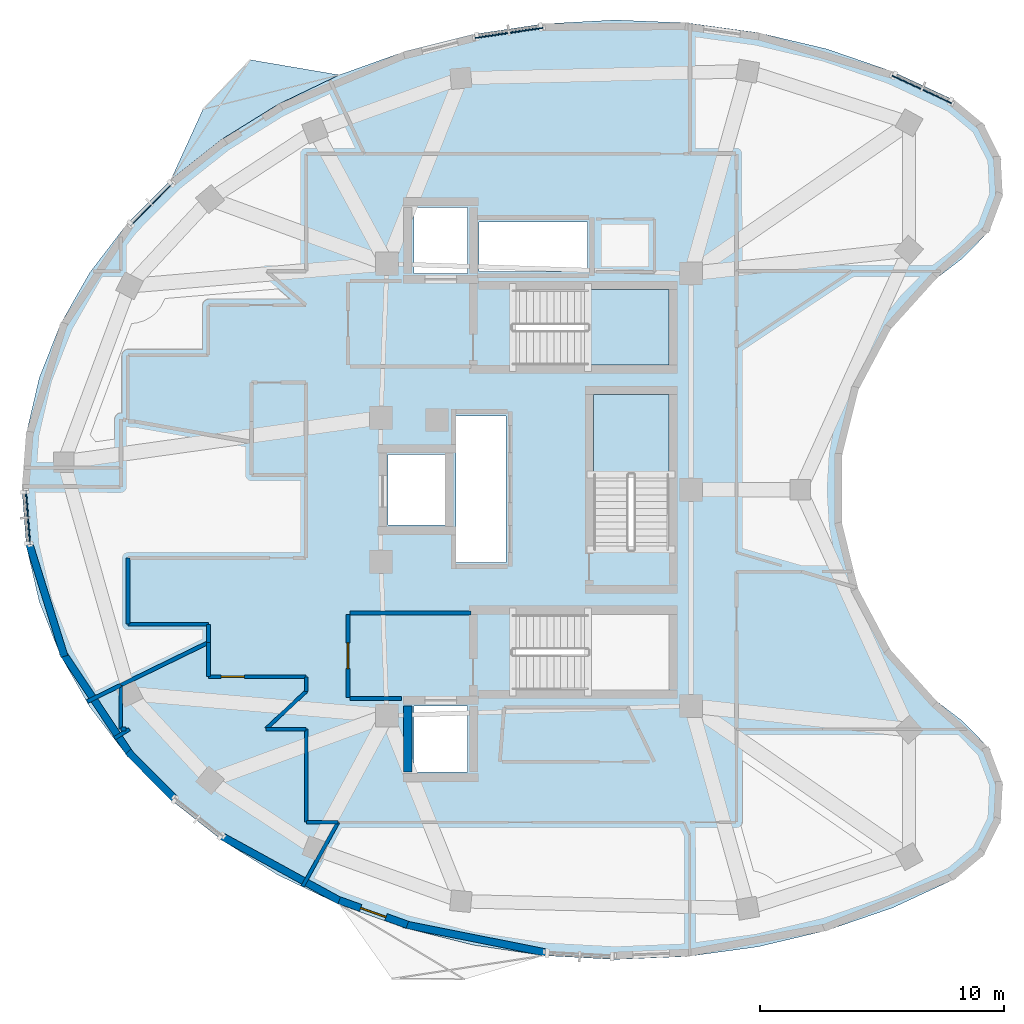
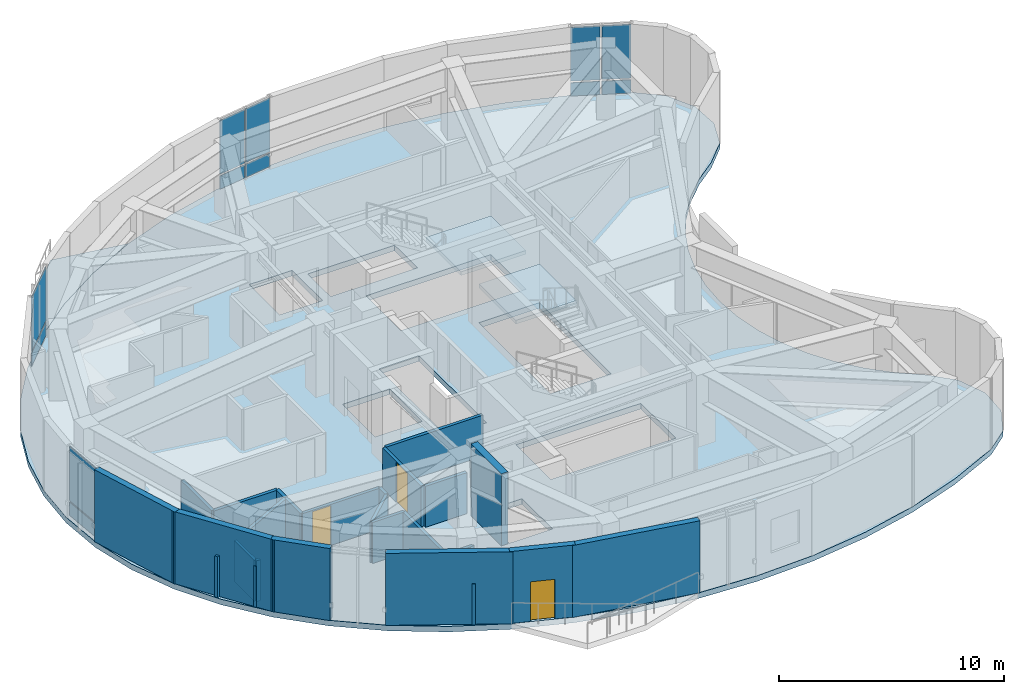
# One storey, part 5 of 12: 26 walls, 12 plates, 4 slabs, 3 doors, 3 openings, 6 elements without a shape of their own.
"""IFC4 building model written with IfcOpenShell, lengths in metres."""

from ifc_helpers import new_model, si_unit, direction, frame, frame_2d, origin, origin_2d, place, context, subcontext, project, spatial, polyline, rectangle, outline, extrude, material, layer, layer_set, type_object, element, fill, aggregate, save


model = new_model("IFC4")

# Units and contexts
model_context = context("Model", 3, precision=1e-05, world=origin(), true_north=direction((0.0, 1.0)))
body_context = subcontext(model_context, "Body", "Model", "MODEL_VIEW")
ifc_project = project(units=[si_unit("LENGTHUNIT", "METRE"), si_unit("AREAUNIT", "SQUARE_METRE"), si_unit("VOLUMEUNIT", "CUBIC_METRE"), si_unit("PLANEANGLEUNIT", "RADIAN"), si_unit("MASSUNIT", "GRAM", prefix="KILO")], contexts=[model_context])

# Site, building, storey
site_placement = place(None, origin())
site = spatial("IfcSite", under=ifc_project, at=site_placement, CompositionType="ELEMENT")
building_placement = place(site_placement, origin())
building = spatial("IfcBuilding", under=site, at=building_placement, Name="Korentha Bioscience Tower", CompositionType="ELEMENT")
storey_placement = place(building_placement, frame((0.0, 0.0, 297.60009765625)))
storey = spatial("IfcBuildingStorey", under=building, at=storey_placement, Name="L68", CompositionType="ELEMENT", Elevation=297.60009765625)

# Curtain wall, plates
ifc_material_1 = material(Name="Thermally Broken Aluminium Frame", Category="aluminium")
ifc_layer_1 = layer(ifc_material_1, 0.219970703125, Name="Thermally Broken Aluminium Frame")
ifc_layer_set_1 = layer_set([ifc_layer_1], Name="Thermally Broken Aluminium Frame (CW-T2)")
curtain_wall_type = type_object("IfcCurtainWallType", Name="Solar-Screened Lab Unitised Curtain Wall CW-T2", PredefinedType="USERDEFINED", material=ifc_layer_set_1)
curtain_wall_1_placement = place(storey_placement, origin())
curtain_wall_1 = element("IfcCurtainWall", 1, at=curtain_wall_1_placement, inside=storey, type_object=curtain_wall_type, Name="L68 Curtain Wall 01", ObjectType="UNITISED", PredefinedType="USERDEFINED")
ifc_material_2 = material(Name="Triple-Glazed Low-E Insulated Glass", Category="glass")
ifc_layer_2 = layer(ifc_material_2, 0.0439453125, Name="Triple-Glazed Low-E Insulated Glass")
ifc_layer_set_2 = layer_set([ifc_layer_2], Name="Triple-Glazed Low-E Insulated Glass (GL-44)")
plate_type = type_object("IfcPlateType", Name="Glazed Panel 44mm", PredefinedType="CURTAIN_PANEL", material=ifc_layer_set_2)
plate_1_placement = place(storey_placement, frame((47.63330078125, 43.09521484375, 0.08984375), z_axis=(0.0, 0.0, 1.0), x_axis=(-0.907204022278, 0.420690934016, 0.0)))
plate_1 = element("IfcPlate", 2, at=plate_1_placement, type_object=plate_type, Name="CW-L68-01 Bay 1 Glazed Panel 1", PredefinedType="CURTAIN_PANEL", context=body_context, shape_type="SweptSolid", body=[
    extrude(rectangle(XDim=1.301513671875, YDim=0.0439453125, at=origin_2d()), origin(), (0.0, 0.0, 1.0), 0.715087890625),
])
plate_2_placement = place(storey_placement, frame((47.63330078125, 43.09521484375, 0.894775390625), z_axis=(0.0, 0.0, 1.0), x_axis=(-0.907204022278, 0.420690934016, 0.0)))
plate_2 = element("IfcPlate", 3, at=plate_2_placement, type_object=plate_type, Name="CW-L68-01 Bay 1 Glazed Panel 2", PredefinedType="CURTAIN_PANEL", context=body_context, shape_type="SweptSolid", body=[
    extrude(rectangle(XDim=1.301513671875, YDim=0.0439453125, at=origin_2d()), origin(), (0.0, 0.0, 1.0), 2.9150390625),
])
plate_3_placement = place(storey_placement, frame((46.37109375, 43.6806640625, 0.08984375), z_axis=(0.0, 0.0, 1.0), x_axis=(-0.907204022278, 0.420690934016, 0.0)))
plate_3 = element("IfcPlate", 4, at=plate_3_placement, type_object=plate_type, Name="CW-L68-01 Bay 2 Glazed Panel 1", PredefinedType="CURTAIN_PANEL", context=body_context, shape_type="SweptSolid", body=[
    extrude(rectangle(XDim=1.301513671875, YDim=0.0439453125, at=origin_2d()), origin(), (0.0, 0.0, 1.0), 0.715087890625),
])
plate_4_placement = place(storey_placement, frame((46.37109375, 43.6806640625, 0.894775390625), z_axis=(0.0, 0.0, 1.0), x_axis=(-0.907204022278, 0.420690934016, 0.0)))
plate_4 = element("IfcPlate", 5, at=plate_4_placement, type_object=plate_type, Name="CW-L68-01 Bay 2 Glazed Panel 2", PredefinedType="CURTAIN_PANEL", context=body_context, shape_type="SweptSolid", body=[
    extrude(rectangle(XDim=1.301513671875, YDim=0.0439453125, at=origin_2d()), origin(), (0.0, 0.0, 1.0), 2.9150390625),
])
aggregate(curtain_wall_1, [plate_1, plate_2, plate_3, plate_4])

curtain_wall_2_placement = place(storey_placement, origin())
curtain_wall_2 = element("IfcCurtainWall", 6, at=curtain_wall_2_placement, inside=storey, type_object=curtain_wall_type, Name="L68 Curtain Wall 07", ObjectType="UNITISED", PredefinedType="USERDEFINED")
plate_5_placement = place(storey_placement, frame((30.817138671875, 45.81005859375, 0.08984375), z_axis=(0.0, 0.0, 1.0), x_axis=(-0.98900659611, -0.147871406471, 0.0)))
plate_5 = element("IfcPlate", 7, at=plate_5_placement, type_object=plate_type, Name="CW-L68-07 Bay 1 Glazed Panel 1", PredefinedType="CURTAIN_PANEL", context=body_context, shape_type="SweptSolid", body=[
    extrude(rectangle(XDim=1.3662109375, YDim=0.0439453125, at=origin_2d()), origin(), (0.0, 0.0, 1.0), 0.715087890625),
])
plate_6_placement = place(storey_placement, frame((30.817138671875, 45.81005859375, 0.894775390625), z_axis=(0.0, 0.0, 1.0), x_axis=(-0.98900659611, -0.147871406471, 0.0)))
plate_6 = element("IfcPlate", 8, at=plate_6_placement, type_object=plate_type, Name="CW-L68-07 Bay 1 Glazed Panel 2", PredefinedType="CURTAIN_PANEL", context=body_context, shape_type="SweptSolid", body=[
    extrude(rectangle(XDim=1.3662109375, YDim=0.0439453125, at=origin_2d()), origin(), (0.0, 0.0, 1.0), 2.9150390625),
])
plate_7_placement = place(storey_placement, frame((29.376953125, 45.5947265625, 0.08984375), z_axis=(0.0, 0.0, 1.0), x_axis=(-0.98900659611, -0.147871406471, 0.0)))
plate_7 = element("IfcPlate", 9, at=plate_7_placement, type_object=plate_type, Name="CW-L68-07 Bay 2 Glazed Panel 1", PredefinedType="CURTAIN_PANEL", context=body_context, shape_type="SweptSolid", body=[
    extrude(rectangle(XDim=1.3662109375, YDim=0.0439453125, at=origin_2d()), origin(), (0.0, 0.0, 1.0), 0.715087890625),
])
plate_8_placement = place(storey_placement, frame((29.376953125, 45.5947265625, 0.894775390625), z_axis=(0.0, 0.0, 1.0), x_axis=(-0.98900659611, -0.147871406471, 0.0)))
plate_8 = element("IfcPlate", 10, at=plate_8_placement, type_object=plate_type, Name="CW-L68-07 Bay 2 Glazed Panel 2", PredefinedType="CURTAIN_PANEL", context=body_context, shape_type="SweptSolid", body=[
    extrude(rectangle(XDim=1.3662109375, YDim=0.0439453125, at=origin_2d()), origin(), (0.0, 0.0, 1.0), 2.9150390625),
])
aggregate(curtain_wall_2, [plate_5, plate_6, plate_7, plate_8])

curtain_wall_3_placement = place(storey_placement, origin())
curtain_wall_3 = element("IfcCurtainWall", 11, at=curtain_wall_3_placement, inside=storey, type_object=curtain_wall_type, Name="L68 Curtain Wall 13", ObjectType="UNITISED", PredefinedType="USERDEFINED")
plate_9_placement = place(storey_placement, frame((15.46826171875, 38.67822265625, 0.08984375), z_axis=(0.0, 0.0, 1.0), x_axis=(-0.703813123431, -0.710385168262, 0.0)))
plate_9 = element("IfcPlate", 12, at=plate_9_placement, type_object=plate_type, Name="CW-L68-13 Bay 1 Glazed Panel 1", PredefinedType="CURTAIN_PANEL", context=body_context, shape_type="SweptSolid", body=[
    extrude(rectangle(XDim=2.467529296875, YDim=0.0439453125, at=origin_2d()), origin(), (0.0, 0.0, 1.0), 0.715087890625),
])
plate_10_placement = place(storey_placement, frame((15.46826171875, 38.67822265625, 0.894775390625), z_axis=(0.0, 0.0, 1.0), x_axis=(-0.703813123431, -0.710385168262, 0.0)))
plate_10 = element("IfcPlate", 13, at=plate_10_placement, type_object=plate_type, Name="CW-L68-13 Bay 1 Glazed Panel 2", PredefinedType="CURTAIN_PANEL", context=body_context, shape_type="SweptSolid", body=[
    extrude(rectangle(XDim=2.467529296875, YDim=0.0439453125, at=origin_2d()), origin(), (0.0, 0.0, 1.0), 2.9150390625),
])
aggregate(curtain_wall_3, [plate_9, plate_10])

curtain_wall_4_placement = place(storey_placement, origin())
curtain_wall_4 = element("IfcCurtainWall", 14, at=curtain_wall_4_placement, inside=storey, type_object=curtain_wall_type, Name="L68 Curtain Wall 19", ObjectType="UNITISED", PredefinedType="USERDEFINED")
plate_11_placement = place(storey_placement, frame((10.406005859375, 25.858642578125, 0.08984375), z_axis=(0.0, 0.0, 1.0), x_axis=(0.076447323916, -0.997073621487, 0.0)))
plate_11 = element("IfcPlate", 15, at=plate_11_placement, type_object=plate_type, Name="CW-L68-19 Bay 1 Glazed Panel 1", PredefinedType="CURTAIN_PANEL", context=body_context, shape_type="SweptSolid", body=[
    extrude(rectangle(XDim=2.2138671875, YDim=0.0439453125, at=origin_2d()), origin(), (0.0, 0.0, 1.0), 0.715087890625),
])
plate_12_placement = place(storey_placement, frame((10.406005859375, 25.858642578125, 0.894775390625), z_axis=(0.0, 0.0, 1.0), x_axis=(0.076447323916, -0.997073621487, 0.0)))
plate_12 = element("IfcPlate", 16, at=plate_12_placement, type_object=plate_type, Name="CW-L68-19 Bay 1 Glazed Panel 2", PredefinedType="CURTAIN_PANEL", context=body_context, shape_type="SweptSolid", body=[
    extrude(rectangle(XDim=2.2138671875, YDim=0.0439453125, at=origin_2d()), origin(), (0.0, 0.0, 1.0), 2.9150390625),
])
aggregate(curtain_wall_4, [plate_11, plate_12])

# Slab
ifc_material_3 = material(Name="Concrete C50", Category="concrete")
ifc_layer_3 = layer(ifc_material_3, 0.300048828125, Name="Concrete C50")
ifc_layer_set_3 = layer_set([ifc_layer_3], Name="Concrete C50 (SL-L300)")
slab_type_1 = type_object("IfcSlabType", Name="Laboratory Vibration-Controlled Slab 300", PredefinedType="FLOOR", material=ifc_layer_set_3)
slab_1_placement = place(storey_placement, frame((0.0, 0.0, -0.300048828125)))
element("IfcSlab", 17, at=slab_1_placement, inside=storey, type_object=slab_type_1, Name="L68 Tower Structural Floor Slab", PredefinedType="FLOOR", context=body_context, shape_type="SweptSolid", body=[
    extrude(outline(polyline([(48.33642578125, 42.94580078125), (45.802734375, 44.12060546875), (43.10791015625, 45.04833984375), (40.291015625, 45.715576171875), (37.392333984375, 46.112548828125), (34.4541015625, 46.2333984375), (31.5185546875, 46.07666015625), (28.628173828125, 45.64453125), (25.82470703125, 44.943115234375), (23.1484375, 43.982666015625), (20.63818359375, 42.77685546875), (18.330322265625, 41.343505859375), (16.258056640625, 39.702880859375), (14.450927734375, 37.87890625), (12.935546875, 35.897705078125), (11.733642578125, 33.788330078125), (10.862548828125, 31.580810546875), (10.334716796875, 29.306884765625), (10.157958984375, 27.0), (10.334716796875, 24.693115234375), (10.862548828125, 22.419189453125), (11.733642578125, 20.211669921875), (12.935546875, 18.102294921875), (14.450927734375, 16.12109375), (16.258056640625, 14.297119140625), (18.330322265625, 12.656494140625), (20.63818359375, 11.22314453125), (23.1484375, 10.017333984375), (25.82470703125, 9.056884765625), (28.628173828125, 8.35546875), (31.5185546875, 7.92333984375), (34.4541015625, 7.7666015625), (37.392333984375, 7.887451171875), (40.291015625, 8.284423828125), (43.10791015625, 8.95166015625), (45.802734375, 9.87939453125), (48.33642578125, 11.05419921875), (49.524169921875, 12.041259765625), (50.216796875, 13.421142578125), (50.298828125, 14.96337890625), (49.756103515625, 16.408935546875), (48.6796875, 17.51611328125), (47.57177734375, 18.366455078125), (46.575439453125, 19.345458984375), (45.7060546875, 20.438720703125), (44.976318359375, 21.62939453125), (44.39697265625, 22.900390625), (43.97705078125, 24.232421875), (43.722412109375, 25.60595703125), (43.63720703125, 27.0), (43.722412109375, 28.39404296875), (43.97705078125, 29.767578125), (44.39697265625, 31.099609375), (44.976318359375, 32.37060546875), (45.7060546875, 33.561279296875), (46.575439453125, 34.654541015625), (47.57177734375, 35.633544921875), (48.6796875, 36.48388671875), (49.756103515625, 37.591064453125), (50.298828125, 39.03662109375), (50.216796875, 40.578857421875), (49.524169921875, 41.958740234375), (48.33642578125, 42.94580078125)]), holes=[polyline([(30.25, 32.10009765625), (36.64990234375, 32.10009765625), (36.64990234375, 35.199951171875), (30.25, 35.199951171875), (30.25, 32.10009765625)]), polyline([(30.25, 18.800048828125), (36.64990234375, 18.800048828125), (36.64990234375, 21.89990234375), (30.25, 21.89990234375), (30.25, 18.800048828125)]), polyline([(36.64990234375, 24.550048828125), (36.64990234375, 30.89990234375), (33.550048828125, 30.89990234375), (33.550048828125, 24.550048828125), (36.64990234375, 24.550048828125)]), polyline([(27.929931640625, 24.030029296875), (29.969970703125, 24.030029296875), (29.969970703125, 30.02001953125), (27.929931640625, 30.02001953125), (27.929931640625, 24.030029296875)]), polyline([(28.860107421875, 35.93994140625), (33.31005859375, 35.93994140625), (33.31005859375, 37.9599609375), (28.860107421875, 37.9599609375), (28.860107421875, 35.93994140625)]), polyline([(26.199951171875, 15.449951171875), (28.39990234375, 15.449951171875), (28.39990234375, 18.14990234375), (26.199951171875, 18.14990234375), (26.199951171875, 15.449951171875)]), polyline([(26.199951171875, 35.85009765625), (28.39990234375, 35.85009765625), (28.39990234375, 38.550048828125), (26.199951171875, 38.550048828125), (26.199951171875, 35.85009765625)]), polyline([(25.14990234375, 25.550048828125), (27.550048828125, 25.550048828125), (27.550048828125, 28.449951171875), (25.14990234375, 28.449951171875), (25.14990234375, 25.550048828125)])]), origin(), (0.0, 0.0, 1.0), 0.300048828125),
])

# Stair, slab
ifc_material_4 = material(Name="Precast Concrete C50", Category="concrete")
stair_type = type_object("IfcStairType", Name="Core Exit Dog-Leg Stair 1450", PredefinedType="HALF_TURN_STAIR", material=ifc_material_4)
stair_1_placement = place(storey_placement, origin())
stair_1 = element("IfcStair", 18, at=stair_1_placement, inside=storey, type_object=stair_type, Name="L68 Tower North Pressurized Exit Stair ST-1", PredefinedType="HALF_TURN_STAIR")
ifc_layer_4 = layer(ifc_material_3, 0.199951171875, Name="Concrete C50")
ifc_layer_set_4 = layer_set([ifc_layer_4], Name="Concrete C50 (SL-LND)")
slab_type_2 = type_object("IfcSlabType", Name="Landing Slab 200", PredefinedType="LANDING", material=ifc_layer_set_4)
slab_2_placement = place(storey_placement, frame((0.0, 0.0, 1.89990234375)))
slab_2 = element("IfcSlab", 19, at=slab_2_placement, type_object=slab_type_2, Name="ST-1 landing 1", PredefinedType="LANDING", context=body_context, shape_type="SweptSolid", body=[
    extrude(outline(polyline([(33.330078125, 32.10009765625), (36.64990234375, 32.10009765625), (36.64990234375, 35.199951171875), (33.330078125, 35.199951171875), (33.330078125, 32.10009765625)])), origin(), (0.0, 0.0, 1.0), 0.199951171875),
])
aggregate(stair_1, [slab_2])

stair_2_placement = place(storey_placement, origin())
stair_2 = element("IfcStair", 20, at=stair_2_placement, inside=storey, type_object=stair_type, Name="L68 Tower Central Pressurized Exit Stair ST-3", PredefinedType="HALF_TURN_STAIR")
slab_3_placement = place(storey_placement, frame((0.0, 0.0, 1.89990234375)))
slab_3 = element("IfcSlab", 21, at=slab_3_placement, type_object=slab_type_2, Name="ST-3 landing 1", PredefinedType="LANDING", context=body_context, shape_type="SweptSolid", body=[
    extrude(outline(polyline([(36.64990234375, 27.6298828125), (36.64990234375, 30.89990234375), (33.550048828125, 30.89990234375), (33.550048828125, 27.6298828125), (36.64990234375, 27.6298828125)])), origin(), (0.0, 0.0, 1.0), 0.199951171875),
])
aggregate(stair_2, [slab_3])

# Slab
ifc_layer_5 = layer(ifc_material_3, 0.300048828125, Name="Concrete C50")
ifc_layer_set_5 = layer_set([ifc_layer_5], Name="Concrete C50 (BS-240)")
slab_type_3 = type_object("IfcSlabType", Name="Sawtooth Sun-Ledge Balcony Slab 240", PredefinedType="USERDEFINED", material=ifc_layer_set_5)
slab_4_placement = place(storey_placement, frame((0.0, 0.0, -0.300048828125)))
element("IfcSlab", 22, at=slab_4_placement, inside=storey, type_object=slab_type_3, Name="L68 Sun-Ledge Balcony 01", ObjectType="BALCONY", PredefinedType="USERDEFINED", context=body_context, shape_type="SweptSolid", body=[
    extrude(outline(polyline([(16.258056640625, 39.702880859375), (18.330322265625, 41.343505859375), (20.63818359375, 42.77685546875), (23.1484375, 43.982666015625), (19.50390625, 44.603271484375), (17.5654296875, 42.5751953125), (16.258056640625, 39.702880859375)])), origin(), (0.0, 0.0, 1.0), 0.300048828125),
])

# Wall, opening, door
ifc_material_5 = material(Name="Double-Stud Acoustic Gypsum", Category="gypsum")
ifc_layer_6 = layer(ifc_material_5, 0.14990234375, Name="Double-Stud Acoustic Gypsum")
ifc_layer_set_6 = layer_set([ifc_layer_6], Name="Double-Stud Acoustic Gypsum (IW-L150)")
wall_type_1 = type_object("IfcWallType", Name="Acoustic Laboratory Partition Wall 150", PredefinedType="PARTITIONING", material=ifc_layer_set_6)
wall_1_placement = place(storey_placement, frame((17.800048828125, 19.340087890625, 0.0), z_axis=(0.0, 0.0, 1.0), x_axis=(1.0, 0.0, 0.0)))
wall_1 = element("IfcWall", 23, at=wall_1_placement, inside=storey, type_object=wall_type_1, Name="L68 Biomechanical Motion Analysis Lab 02 Entrance Wall", PredefinedType="PARTITIONING", context=body_context, shape_type="SweptSolid", body=[
    extrude(rectangle(XDim=3.989990234375, YDim=0.14990234375, at=frame_2d((1.9951171875, 0.0))), origin(), (0.0, 0.0, 1.0), 2.219970703125),
])
opening_1_placement = place(wall_1_placement, frame((0.5068359375, 0.0, 0.0)))
opening_1 = element("IfcOpeningElement", 24, at=opening_1_placement, cuts=wall_1, Name="Opening ID-10R", PredefinedType="OPENING", context=body_context, shape_type="SweptSolid", body=[
    extrude(rectangle(XDim=0.949951171875, YDim=2.14990234375, at=frame_2d((0.47509765625, 1.074951171875))), frame((0.0, 0.08984375, 0.0), z_axis=(0.0, -1.0, 0.0), x_axis=(1.0, 0.0, 0.0)), (0.0, 0.0, 1.0), 0.1796875),
])
ifc_material_6 = material(Name="Phenolic Laminate Timber Core", Category="wood")
door_type_1 = type_object("IfcDoorType", Name="Laboratory Single Leaf Door 950x2150 Right", OperationType="SINGLE_SWING_RIGHT", PredefinedType="DOOR", material=ifc_material_6)
door_1_placement = place(opening_1_placement, origin())
door_1 = element("IfcDoor", 25, at=door_1_placement, inside=storey, type_object=door_type_1, Name="L68 Biomechanical Motion Analysis Lab 02 Door", OperationType="SINGLE_SWING_RIGHT", OverallHeight=2.14990234375, OverallWidth=0.949951171875, PredefinedType="DOOR", context=body_context, shape_type="SweptSolid", body=[
    extrude(rectangle(XDim=0.949951171875, YDim=2.14990234375, at=frame_2d((0.47509765625, 1.074951171875))), frame((0.0, 0.02490234375, 0.0), z_axis=(0.0, -1.0, 0.0), x_axis=(1.0, 0.0, 0.0)), (0.0, 0.0, 1.0), 0.050048828125),
])
fill(opening_1, door_1)

# Walls
wall_2_placement = place(storey_placement, frame((20.148193359375, 17.197998046875, 0.0), z_axis=(0.0, 0.0, 1.0), x_axis=(1.0, 0.0, 0.0)))
element("IfcWall", 26, at=wall_2_placement, inside=storey, type_object=wall_type_1, Name="L68 Interior Partition 032", PredefinedType="PARTITIONING", context=body_context, shape_type="SweptSolid", body=[
    extrude(rectangle(XDim=1.641845703125, YDim=0.14990234375, at=frame_2d((0.82080078125, 0.0))), origin(), (0.0, 0.0, 1.0), 2.219970703125),
])
wall_3_placement = place(storey_placement, frame((21.7900390625, 17.197998046875, 0.0), z_axis=(0.0, 0.0, 1.0), x_axis=(0.0, -1.0, 0.0)))
element("IfcWall", 27, at=wall_3_placement, inside=storey, type_object=wall_type_1, Name="L68 Interior Partition 033", PredefinedType="PARTITIONING", context=body_context, shape_type="SweptSolid", body=[
    extrude(rectangle(XDim=3.798095703125, YDim=0.14990234375, at=frame_2d((1.89892578125, 0.0))), origin(), (0.0, 0.0, 1.0), 2.219970703125),
])
wall_4_placement = place(storey_placement, frame((21.800048828125, 13.389892578125, 0.0), z_axis=(0.0, 0.0, 1.0), x_axis=(1.0, 0.0, 0.0)))
element("IfcWall", 28, at=wall_4_placement, inside=storey, type_object=wall_type_1, Name="L68 Interior Partition 034", PredefinedType="PARTITIONING", context=body_context, shape_type="SweptSolid", body=[
    extrude(rectangle(XDim=1.300048828125, YDim=0.14990234375, at=frame_2d((0.64990234375, 0.0))), origin(), (0.0, 0.0, 1.0), 2.219970703125),
])
wall_5_placement = place(storey_placement, frame((23.10009765625, 13.389892578125, 0.0), z_axis=(0.0, 0.0, 1.0), x_axis=(-0.483259990644, -0.875476888012, 0.0)))
element("IfcWall", 29, at=wall_5_placement, inside=storey, type_object=wall_type_1, Name="L68 Interior Partition 035", PredefinedType="PARTITIONING", context=body_context, shape_type="SweptSolid", body=[
    extrude(rectangle(XDim=3.00341796875, YDim=0.14990234375, at=frame_2d((1.501708984375, 0.0))), origin(), (0.0, 0.0, 1.0), 2.219970703125),
])
wall_6_placement = place(storey_placement, frame((13.943115234375, 16.82080078125, 0.0), z_axis=(0.0, 0.0, 1.0), x_axis=(0.853534109263, 0.521036970208, 0.0)))
element("IfcWall", 30, at=wall_6_placement, inside=storey, type_object=wall_type_1, Name="L68 Interior Partition 036", PredefinedType="PARTITIONING", context=body_context, shape_type="SweptSolid", body=[
    extrude(rectangle(XDim=0.71728515625, YDim=0.14990234375, at=frame_2d((0.358642578125, 0.0))), origin(), (0.0, 0.0, 1.0), 2.219970703125),
])
wall_7_placement = place(storey_placement, frame((14.41796875, 17.201904296875, 0.0), z_axis=(0.0, 0.0, 1.0), x_axis=(-1.0, 0.0, 0.0)))
element("IfcWall", 31, at=wall_7_placement, inside=storey, type_object=wall_type_1, Name="L68 Interior Partition 037", PredefinedType="PARTITIONING", context=body_context, shape_type="SweptSolid", body=[
    extrude(rectangle(XDim=0.2158203125, YDim=0.14990234375, at=frame_2d((0.10791015625, 0.0))), origin(), (0.0, 0.0, 1.0), 2.219970703125),
])
wall_8_placement = place(storey_placement, frame((14.201904296875, 17.2021484375, 0.0), z_axis=(0.0, 0.0, 1.0), x_axis=(0.0, 1.0, 0.0)))
element("IfcWall", 32, at=wall_8_placement, inside=storey, type_object=wall_type_1, Name="L68 Interior Partition 038", PredefinedType="PARTITIONING", context=body_context, shape_type="SweptSolid", body=[
    extrude(rectangle(XDim=1.783447265625, YDim=0.14990234375, at=frame_2d((0.8916015625, 0.0))), origin(), (0.0, 0.0, 1.0), 2.219970703125),
])
wall_9_placement = place(storey_placement, frame((17.7900390625, 20.735595703125, 0.0), z_axis=(0.0, 0.0, 1.0), x_axis=(0.0, -1.0, 0.0)))
element("IfcWall", 33, at=wall_9_placement, inside=storey, type_object=wall_type_1, Name="L68 Interior Partition 039", PredefinedType="PARTITIONING", context=body_context, shape_type="SweptSolid", body=[
    extrude(rectangle(XDim=1.385498046875, YDim=0.14990234375, at=frame_2d((0.69287109375, 0.0))), origin(), (0.0, 0.0, 1.0), 2.219970703125),
])
wall_10_placement = place(storey_placement, frame((21.7900390625, 19.340087890625, 0.0), z_axis=(0.0, 0.0, 1.0), x_axis=(0.0, -1.0, 0.0)))
element("IfcWall", 34, at=wall_10_placement, inside=storey, type_object=wall_type_1, Name="L68 Interior Partition 040", PredefinedType="PARTITIONING", context=body_context, shape_type="SweptSolid", body=[
    extrude(rectangle(XDim=0.59619140625, YDim=0.14990234375, at=frame_2d((0.298095703125, 0.0))), origin(), (0.0, 0.0, 1.0), 2.219970703125),
])
wall_11_placement = place(storey_placement, frame((21.7900390625, 18.743896484375, 0.0), z_axis=(0.0, 0.0, 1.0), x_axis=(-0.730182450716, -0.683252214534, 0.0)))
element("IfcWall", 35, at=wall_11_placement, inside=storey, type_object=wall_type_1, Name="L68 Interior Partition 041", PredefinedType="PARTITIONING", context=body_context, shape_type="SweptSolid", body=[
    extrude(rectangle(XDim=2.25244140625, YDim=0.14990234375, at=frame_2d((1.126220703125, 0.0))), origin(), (0.0, 0.0, 1.0), 2.219970703125),
])

# Wall, opening, door
ifc_material_7 = material(Name="Gypsum-Clad Steel Stud", Category="steel")
ifc_layer_7 = layer(ifc_material_7, 0.159912109375, Name="Gypsum-Clad Steel Stud")
ifc_layer_set_7 = layer_set([ifc_layer_7], Name="Gypsum-Clad Steel Stud (IW-C160)")
wall_type_2 = type_object("IfcWallType", Name="Fire-Rated Corridor Partition Wall 160", PredefinedType="PARTITIONING", material=ifc_layer_set_7)
wall_12_placement = place(storey_placement, frame((23.5, 18.5, 0.0), z_axis=(0.0, 0.0, 1.0), x_axis=(0.0, 1.0, 0.0)))
wall_12 = element("IfcWall", 36, at=wall_12_placement, inside=storey, type_object=wall_type_2, Name="L68 FFLS-CW Rated Enclosure Wall", PredefinedType="PARTITIONING", context=body_context, shape_type="SweptSolid", body=[
    extrude(rectangle(XDim=3.39990234375, YDim=0.159912109375, at=frame_2d((1.699951171875, 0.0))), origin(), (0.0, 0.0, 1.0), 2.219970703125),
])
opening_2_placement = place(wall_12_placement, frame((1.175048828125, 0.0, 0.0)))
opening_2 = element("IfcOpeningElement", 37, at=opening_2_placement, cuts=wall_12, Name="Opening FD-90L", PredefinedType="OPENING", context=body_context, shape_type="SweptSolid", body=[
    extrude(rectangle(XDim=1.050048828125, YDim=2.14990234375, at=frame_2d((0.52490234375, 1.074951171875))), frame((0.0, 0.0947265625, 0.0), z_axis=(0.0, -1.0, 0.0), x_axis=(1.0, 0.0, 0.0)), (0.0, 0.0, 1.0), 0.189697265625),
])
ifc_material_8 = material(Name="Powder-Coated Fire-Rated Steel", Category="steel")
door_type_2 = type_object("IfcDoorType", Name="Stairwell Fire Exit Door 1050x2150 Left", OperationType="SINGLE_SWING_LEFT", PredefinedType="DOOR", material=ifc_material_8)
door_2_placement = place(opening_2_placement, origin())
door_2 = element("IfcDoor", 38, at=door_2_placement, inside=storey, type_object=door_type_2, Name="L68 South Firefighting Lobby Door", OperationType="SINGLE_SWING_LEFT", OverallHeight=2.14990234375, OverallWidth=1.050048828125, PredefinedType="DOOR", context=body_context, shape_type="SweptSolid", body=[
    extrude(rectangle(XDim=1.050048828125, YDim=2.14990234375, at=frame_2d((0.52490234375, 1.074951171875))), frame((0.0, 0.02490234375, 0.0), z_axis=(0.0, -1.0, 0.0), x_axis=(1.0, 0.0, 0.0)), (0.0, 0.0, 1.0), 0.050048828125),
])
fill(opening_2, door_2)

# Walls
wall_13_placement = place(storey_placement, frame((23.580078125, 21.949951171875, 0.0), z_axis=(0.0, 0.0, 1.0), x_axis=(1.0, 0.0, 0.0)))
element("IfcWall", 39, at=wall_13_placement, inside=storey, type_object=wall_type_2, Name="L68 Firefighting Lobby Return Wall FFLS-N", PredefinedType="PARTITIONING", context=body_context, shape_type="SweptSolid", body=[
    extrude(rectangle(XDim=4.969970703125, YDim=0.159912109375, at=frame_2d((2.48486328125, 0.0))), origin(), (0.0, 0.0, 1.0), 2.219970703125),
])
wall_14_placement = place(storey_placement, frame((23.580078125, 18.449951171875, 0.0), z_axis=(0.0, 0.0, 1.0), x_axis=(1.0, 0.0, 0.0)))
element("IfcWall", 40, at=wall_14_placement, inside=storey, type_object=wall_type_2, Name="L68 Firefighting Lobby Return Wall FFLS-S", PredefinedType="PARTITIONING", context=body_context, shape_type="SweptSolid", body=[
    extrude(rectangle(XDim=2.119873046875, YDim=0.159912109375, at=frame_2d((1.06005859375, 0.0))), origin(), (0.0, 0.0, 1.0), 2.219970703125),
])
wall_15_placement = place(storey_placement, frame((14.489990234375, 24.199951171875, 0.0), z_axis=(0.0, 0.0, 1.0), x_axis=(0.0, -1.0, 0.0)))
element("IfcWall", 41, at=wall_15_placement, inside=storey, type_object=wall_type_2, Name="L68 Interior Partition 027", PredefinedType="PARTITIONING", context=body_context, shape_type="SweptSolid", body=[
    extrude(rectangle(XDim=2.699951171875, YDim=0.159912109375, at=frame_2d((1.35009765625, 0.0))), origin(), (0.0, 0.0, 1.0), 2.219970703125),
])
wall_16_placement = place(storey_placement, frame((14.5, 21.489990234375, 0.0), z_axis=(0.0, 0.0, 1.0), x_axis=(1.0, 0.0, 0.0)))
element("IfcWall", 42, at=wall_16_placement, inside=storey, type_object=wall_type_2, Name="L68 Interior Partition 028", PredefinedType="PARTITIONING", context=body_context, shape_type="SweptSolid", body=[
    extrude(rectangle(XDim=3.2900390625, YDim=0.159912109375, at=frame_2d((1.64501953125, 0.0))), origin(), (0.0, 0.0, 1.0), 2.219970703125),
])
wall_17_placement = place(storey_placement, frame((17.7900390625, 21.489990234375, 0.0), z_axis=(0.0, 0.0, 1.0), x_axis=(0.0, -1.0, 0.0)))
element("IfcWall", 43, at=wall_17_placement, inside=storey, type_object=wall_type_2, Name="L68 Interior Partition 029", PredefinedType="PARTITIONING", context=body_context, shape_type="SweptSolid", body=[
    extrude(rectangle(XDim=0.7431640625, YDim=0.159912109375, at=frame_2d((0.37158203125, 0.0))), origin(), (0.0, 0.0, 1.0), 2.219970703125),
])
wall_18_placement = place(storey_placement, frame((17.7900390625, 20.746826171875, 0.0), z_axis=(0.0, 0.0, 1.0), x_axis=(-0.898787253815, -0.438385073172, 0.0)))
element("IfcWall", 44, at=wall_18_placement, inside=storey, type_object=wall_type_2, Name="L68 Interior Partition 030", PredefinedType="PARTITIONING", context=body_context, shape_type="SweptSolid", body=[
    extrude(rectangle(XDim=3.991943359375, YDim=0.159912109375, at=frame_2d((1.99609375, 0.0))), origin(), (0.0, 0.0, 1.0), 2.219970703125),
])
wall_19_placement = place(storey_placement, frame((14.197998046875, 18.994873046875, 0.0), z_axis=(0.0, 0.0, 1.0), x_axis=(-0.898780783042, -0.438398339452, 0.0)))
element("IfcWall", 45, at=wall_19_placement, inside=storey, type_object=wall_type_2, Name="L68 Interior Partition 031", PredefinedType="PARTITIONING", context=body_context, shape_type="SweptSolid", body=[
    extrude(rectangle(XDim=1.521484375, YDim=0.159912109375, at=frame_2d((0.7607421875, 0.0))), origin(), (0.0, 0.0, 1.0), 2.219970703125),
])

# Wall, opening, door
ifc_material_9 = material(Name="Honed Limestone Precast Concrete C40", Category="masonry")
ifc_layer_8 = layer(ifc_material_9, 0.300048828125, Name="Honed Limestone Precast Concrete C40")
ifc_layer_set_8 = layer_set([ifc_layer_8], Name="Honed Limestone Precast Concrete C40 (EW-ST300)")
wall_type_3 = type_object("IfcWallType", Name="Honed Limestone Cavity Spandrel Wall 300", PredefinedType="STANDARD", material=ifc_layer_set_8)
wall_20_placement = place(storey_placement, frame((23.14599609375, 10.188232421875, 0.0), z_axis=(0.0, 0.0, 1.0), x_axis=(0.941228252746, -0.337771189169, 0.0)))
wall_20 = element("IfcWall", 46, at=wall_20_placement, inside=storey, type_object=wall_type_3, Name="L68 Balcony Threshold Wall 03", PredefinedType="STANDARD", context=body_context, shape_type="SweptSolid", body=[
    extrude(rectangle(XDim=2.96337890625, YDim=0.300048828125, at=frame_2d((1.481689453125, 0.0))), origin(), (0.0, 0.0, 1.0), 3.89990234375),
])
opening_3_placement = place(wall_20_placement, frame((0.931640625, 0.0, 0.0)))
opening_3 = element("IfcOpeningElement", 47, at=opening_3_placement, cuts=wall_20, Name="Opening BD-11L", PredefinedType="OPENING", context=body_context, shape_type="SweptSolid", body=[
    extrude(rectangle(XDim=1.10009765625, YDim=2.14990234375, at=frame_2d((0.550048828125, 1.074951171875))), frame((0.0, 0.1650390625, 0.0), z_axis=(0.0, -1.0, 0.0), x_axis=(1.0, 0.0, 0.0)), (0.0, 0.0, 1.0), 0.329833984375),
])
ifc_material_10 = material(Name="Thermally Broken Glazed Aluminium", Category="aluminium")
door_type_3 = type_object("IfcDoorType", Name="Balcony Terrace Glazed Door 1100x2150 Left", OperationType="SINGLE_SWING_LEFT", PredefinedType="DOOR", material=ifc_material_10)
door_3_placement = place(opening_3_placement, origin())
door_3 = element("IfcDoor", 48, at=door_3_placement, inside=storey, type_object=door_type_3, Name="L68 Balcony Access Door 03", OperationType="SINGLE_SWING_LEFT", OverallHeight=2.14990234375, OverallWidth=1.10009765625, PredefinedType="DOOR", context=body_context, shape_type="SweptSolid", body=[
    extrude(rectangle(XDim=1.10009765625, YDim=2.14990234375, at=frame_2d((0.550048828125, 1.074951171875))), frame((0.0, 0.02490234375, 0.0), z_axis=(0.0, -1.0, 0.0), x_axis=(1.0, 0.0, 0.0)), (0.0, 0.0, 1.0), 0.050048828125),
])
fill(opening_3, door_3)

# Walls
wall_21_placement = place(storey_placement, frame((10.444580078125, 24.81103515625, 0.0), z_axis=(0.0, 0.0, 1.0), x_axis=(0.297974306034, -0.954573890772, 0.0)))
element("IfcWall", 49, at=wall_21_placement, inside=storey, type_object=wall_type_3, Name="L68 Limestone Perimeter Closure Wall 20", PredefinedType="STANDARD", context=body_context, shape_type="SweptSolid", body=[
    extrude(rectangle(XDim=4.8544921875, YDim=0.300048828125, at=frame_2d((2.42724609375, 0.0))), origin(), (0.0, 0.0, 1.0), 3.89990234375),
])
wall_22_placement = place(storey_placement, frame((11.805908203125, 20.355712890625, 0.0), z_axis=(0.0, 0.0, 1.0), x_axis=(0.553332864868, -0.832960227536, 0.0)))
element("IfcWall", 50, at=wall_22_placement, inside=storey, type_object=wall_type_3, Name="L68 Limestone Perimeter Closure Wall 22", PredefinedType="STANDARD", context=body_context, shape_type="SweptSolid", body=[
    extrude(rectangle(XDim=5.07080078125, YDim=0.300048828125, at=frame_2d((2.535400390625, 0.0))), origin(), (0.0, 0.0, 1.0), 3.89990234375),
])
wall_23_placement = place(storey_placement, frame((14.494140625, 16.276611328125, 0.0), z_axis=(0.0, 0.0, 1.0), x_axis=(0.703787296298, -0.710410755528, 0.0)))
element("IfcWall", 51, at=wall_23_placement, inside=storey, type_object=wall_type_3, Name="L68 Limestone Perimeter Closure Wall 24", PredefinedType="STANDARD", context=body_context, shape_type="SweptSolid", body=[
    extrude(rectangle(XDim=2.7275390625, YDim=0.300048828125, at=frame_2d((1.36376953125, 0.0))), origin(), (0.0, 0.0, 1.0), 3.89990234375),
])
wall_24_placement = place(storey_placement, frame((18.327392578125, 12.817626953125, 0.0), z_axis=(0.0, 0.0, 1.0), x_axis=(0.877062479499, -0.480376318166, 0.0)))
element("IfcWall", 52, at=wall_24_placement, inside=storey, type_object=wall_type_3, Name="L68 Limestone Perimeter Closure Wall 26", PredefinedType="STANDARD", context=body_context, shape_type="SweptSolid", body=[
    extrude(rectangle(XDim=5.653564453125, YDim=0.300048828125, at=frame_2d((2.82666015625, 0.0))), origin(), (0.0, 0.0, 1.0), 3.89990234375),
])
wall_25_placement = place(storey_placement, frame((25.773681640625, 9.209716796875, 0.0), z_axis=(0.0, 0.0, 1.0), x_axis=(0.98075343527, -0.19525035008, 0.0)))
element("IfcWall", 53, at=wall_25_placement, inside=storey, type_object=wall_type_3, Name="L68 Limestone Perimeter Closure Wall 29", PredefinedType="STANDARD", context=body_context, shape_type="SweptSolid", body=[
    extrude(rectangle(XDim=5.965576171875, YDim=0.300048828125, at=frame_2d((2.98291015625, 0.0))), origin(), (0.0, 0.0, 1.0), 3.89990234375),
])
ifc_layer_9 = layer(ifc_material_3, 0.35009765625, Name="Concrete C50")
ifc_layer_set_9 = layer_set([ifc_layer_9], Name="Concrete C50 (CW-C50)")
wall_type_4 = type_object("IfcWallType", Name="Upper Core Shear Wall 350", PredefinedType="SHEAR", material=ifc_layer_set_9)
wall_26_placement = place(storey_placement, frame((25.949951171875, 15.43994140625, 0.0), z_axis=(0.0, 0.0, 1.0), x_axis=(0.0, 1.0, 0.0)))
element("IfcWall", 54, at=wall_26_placement, inside=storey, type_object=wall_type_4, Name="L68 Core Shear Wall FFL1-W", PredefinedType="SHEAR", context=body_context, shape_type="SweptSolid", body=[
    extrude(rectangle(XDim=2.699951171875, YDim=0.35009765625, at=frame_2d((1.35009765625, 0.0))), origin(), (0.0, 0.0, 1.0), 3.89990234375),
])

save(model, "model.ifc")
